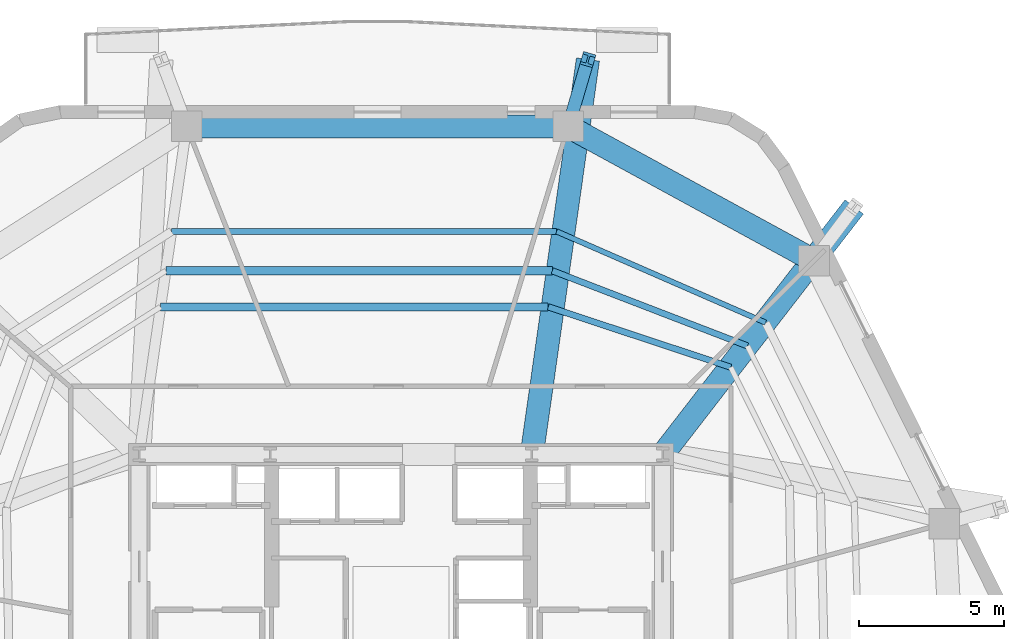
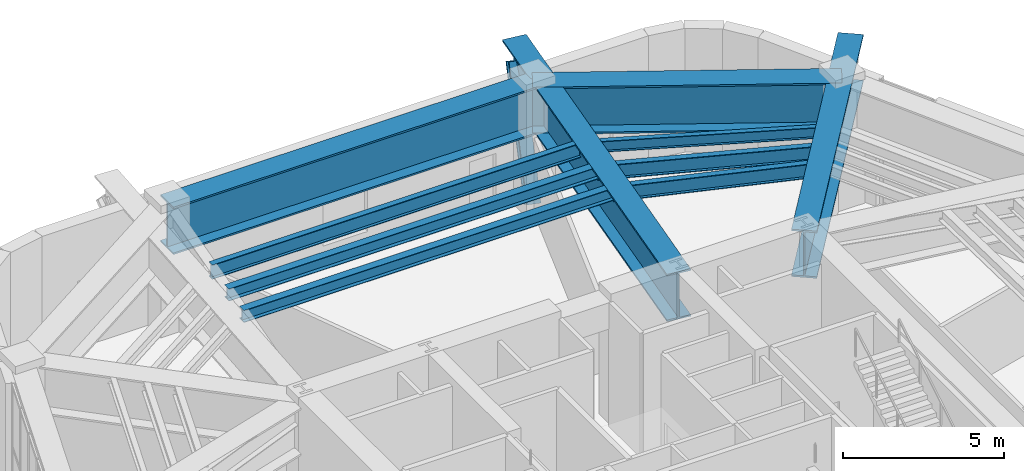
# One storey, part 10 of 18: 10 beams, 1 member.
"""IFC4 building model written with IfcOpenShell, lengths in metres."""

import ifcopenshell
import ifcopenshell.guid

model = None  # the IFC model being written
_history = None  # IfcOwnerHistory: only IFC2X3 demands one
_inside = {}  # id of a spatial element -> (the spatial element, [elements in it])
_under = {}  # id of a project, library or spatial element -> (it, [spatial elements below it])
_declared = {}  # id of a project -> (the project, [libraries it declares])
_typed = {}  # id of a type object -> (the type object, [elements of that type])
_made_of = {}  # id of a material, layer set ... -> (it, [elements and type objects made of it])


def new_model(schema):
    """Start an empty IFC model of exactly this schema.

    Asked for "IFC4X3", IfcOpenShell would pick the latest addendum, in which some entities
    have other attributes; the version numbers below select the first issue.
    IFC2X3 requires an IfcOwnerHistory on every rooted entity: one is made here for all.
    """
    global model, _history
    if schema == "IFC4X3":
        model = ifcopenshell.file(schema_version=(4, 3, 0, 0))
    else:
        model = ifcopenshell.file(schema=schema)
    _inside.clear()
    _under.clear()
    _declared.clear()
    _typed.clear()
    _made_of.clear()
    _history = None
    if model.schema == "IFC2X3":
        org = make("IfcOrganization", Name="unknown")
        user = make(
            "IfcPersonAndOrganization",
            ThePerson=make("IfcPerson", FamilyName="unknown"),
            TheOrganization=org,
        )
        app = make(
            "IfcApplication",
            ApplicationDeveloper=org,
            Version="unknown",
            ApplicationFullName="unknown",
            ApplicationIdentifier="unknown",
        )
        _history = make(
            "IfcOwnerHistory",
            OwningUser=user,
            OwningApplication=app,
            ChangeAction="ADDED",
            CreationDate=0,
        )
    return model


def make(cls, **values):
    """One entity of the class cls with the attributes given. An attribute that is None is left unset."""
    return model.create_entity(
        cls, **{name: value for name, value in values.items() if value is not None}
    )


def rooted(cls, **values):
    """An entity with a GlobalId (a new one), such as an element, a storey or a relation."""
    return make(cls, GlobalId=ifcopenshell.guid.new(), OwnerHistory=_history, **values)


def si_unit(unit_type, name, prefix=None):
    """IfcSIUnit, for example si_unit("LENGTHUNIT", "METRE", prefix="MILLI")."""
    return make("IfcSIUnit", UnitType=unit_type, Prefix=prefix, Name=name)


def assignment(units):
    """IfcUnitAssignment: the units of a project."""
    return None if units is None else make("IfcUnitAssignment", Units=units)


def point(xyz):
    """IfcCartesianPoint."""
    return None if xyz is None else make("IfcCartesianPoint", Coordinates=xyz)


def direction(xyz):
    """IfcDirection."""
    return None if xyz is None else make("IfcDirection", DirectionRatios=xyz)


def frame(location, z_axis=None, x_axis=None):
    """IfcAxis2Placement3D, a coordinate frame: its origin and axes. An axis left out is left unset."""
    return make(
        "IfcAxis2Placement3D",
        Location=point(location),
        Axis=direction(z_axis),
        RefDirection=direction(x_axis),
    )


def frame_2d(location, x_axis=None):
    """IfcAxis2Placement2D, a coordinate frame in the plane: its origin and x axis."""
    return make(
        "IfcAxis2Placement2D", Location=point(location), RefDirection=direction(x_axis)
    )


def origin():
    """The frame at (0, 0, 0) with its axes left unset."""
    return frame((0.0, 0.0, 0.0))


def origin_2d():
    """The frame at (0, 0) in the plane with its x axis left unset."""
    return frame_2d((0.0, 0.0))


def place(relative_to, where):
    """IfcLocalPlacement: puts the frame where relative to a parent placement (None: the world)."""
    return make(
        "IfcLocalPlacement", PlacementRelTo=relative_to, RelativePlacement=where
    )


def context(
    kind, dimensions, precision=None, world=None, true_north=None, identifier=None
):
    """IfcGeometricRepresentationContext, for example the 3D "Model" context."""
    return make(
        "IfcGeometricRepresentationContext",
        ContextIdentifier=identifier,
        ContextType=kind,
        CoordinateSpaceDimension=dimensions,
        Precision=precision,
        WorldCoordinateSystem=world,
        TrueNorth=true_north,
    )


def subcontext(parent, identifier, kind, view, scale=None):
    """IfcGeometricRepresentationSubContext, for example "Body" below "Model"."""
    return make(
        "IfcGeometricRepresentationSubContext",
        ContextIdentifier=identifier,
        ContextType=kind,
        ParentContext=parent,
        TargetScale=scale,
        TargetView=view,
    )


def project(units=None, contexts=None):
    """IfcProject with its units and contexts."""
    return rooted(
        "IfcProject",
        Name="project",
        RepresentationContexts=contexts,
        UnitsInContext=assignment(units),
    )


def spatial(cls, under=None, at=None, **own):
    """A site, building, storey or space (cls), placed at a placement, below another one or the project."""
    s = rooted(cls, ObjectPlacement=at, **own)
    if under is not None:
        _under.setdefault(under.id(), (under, []))[1].append(s)
    return s


def profile(cls, at=None, kind="AREA", **sizes):
    """A parametric profile (cls). Its sizes go by their IFC names, for example OverallWidth=200.0."""
    return make(cls, ProfileType=kind, Position=at, **sizes)


def i_section(**sizes):
    """IfcIShapeProfileDef."""
    return profile("IfcIShapeProfileDef", **sizes)


def extrude(swept, where, along, depth):
    """IfcExtrudedAreaSolid: the profile swept, set in the frame where, extruded along a direction by depth."""
    return make(
        "IfcExtrudedAreaSolid",
        SweptArea=swept,
        Position=where,
        ExtrudedDirection=direction(along),
        Depth=depth,
    )


def shape(context_of_items, identifier, shape_type, items):
    """IfcShapeRepresentation: the items that make up one representation, for example the "Body"."""
    return make(
        "IfcShapeRepresentation",
        ContextOfItems=context_of_items,
        RepresentationIdentifier=identifier,
        RepresentationType=shape_type,
        Items=items,
    )


def material(Name=None, Category=None):
    """IfcMaterial."""
    return make("IfcMaterial", Name=Name, Category=Category)


def material_profile(
    of_material, cross_section, Name=None, Category=None, Priority=None
):
    """IfcMaterialProfile: a cross section and its material."""
    return make(
        "IfcMaterialProfile",
        Name=Name,
        Material=of_material,
        Profile=cross_section,
        Priority=Priority,
        Category=Category,
    )


def profile_set(profiles, Name=None, composite=None):
    """IfcMaterialProfileSet."""
    return make(
        "IfcMaterialProfileSet",
        Name=Name,
        MaterialProfiles=profiles,
        CompositeProfile=composite,
    )


def made_of(thing, what):
    """Note that an element or type object is made of a material, layer set ...; save() writes the relation."""
    if what is not None:
        _made_of.setdefault(what.id(), (what, []))[1].append(thing)
    return thing


def type_object(cls, material=None, **own):
    """A type object (cls), such as IfcWallType, which elements share."""
    return made_of(rooted(cls, **own), material)


def element(
    cls,
    number,
    at=None,
    inside=None,
    cuts=None,
    type_object=None,
    material=None,
    context=None,
    identifier="Body",
    shape_type=None,
    held_by="IfcProductDefinitionShape",
    body=None,
    shapes=None,
    **own,
):
    """One element of the class cls, such as IfcWall. Its Tag is "e" and its number.

    at: its placement. inside: the storey or other place that contains it. cuts: it is an
    opening in that element (IfcRelVoidsElement). A single representation is given by context,
    identifier, shape_type and body (its items); several are given by shapes. held_by: the class
    of the entity that holds the representations. save() writes the other relations.
    """
    e = rooted(cls, Tag="e%d" % number, ObjectPlacement=at, **own)
    if body is not None:
        shapes = [shape(context, identifier, shape_type, body)]
    if shapes is not None:
        e.Representation = make(held_by, Representations=shapes)
    if inside is not None:
        _inside.setdefault(inside.id(), (inside, []))[1].append(e)
    if cuts is not None:
        rooted(
            "IfcRelVoidsElement", RelatingBuildingElement=cuts, RelatedOpeningElement=e
        )
    if type_object is not None:
        _typed.setdefault(type_object.id(), (type_object, []))[1].append(e)
    return made_of(e, material)


def aggregate(whole, parts):
    """IfcRelAggregates: a whole, such as a stair, and the parts it consists of."""
    return rooted("IfcRelAggregates", RelatingObject=whole, RelatedObjects=parts)


def save(model, path):
    """Write the relations noted so far, then the file.

    IfcRelAggregates (storeys below a building ...), IfcRelContainedInSpatialStructure (elements
    in a storey), IfcRelDefinesByType, IfcRelAssociatesMaterial and IfcRelDeclares: one each for
    every whole, place, type object, material and project.
    """
    for whole, parts in _under.values():
        aggregate(whole, parts)
    for where, things in _inside.values():
        rooted(
            "IfcRelContainedInSpatialStructure",
            RelatedElements=things,
            RelatingStructure=where,
        )
    for kind, things in _typed.values():
        rooted("IfcRelDefinesByType", RelatedObjects=things, RelatingType=kind)
    for what, things in _made_of.values():
        rooted("IfcRelAssociatesMaterial", RelatedObjects=things, RelatingMaterial=what)
    for by, libraries in _declared.values():
        rooted("IfcRelDeclares", RelatingContext=by, RelatedDefinitions=libraries)
    model.write(path)


model = new_model("IFC4")

# Units and contexts
model_context = context("Model", 3, precision=1e-05, world=origin(), true_north=direction((0.0, 1.0)))
body_context = subcontext(model_context, "Body", "Model", "MODEL_VIEW")
ifc_project = project(units=[si_unit("LENGTHUNIT", "METRE"), si_unit("AREAUNIT", "SQUARE_METRE"), si_unit("VOLUMEUNIT", "CUBIC_METRE"), si_unit("PLANEANGLEUNIT", "RADIAN"), si_unit("MASSUNIT", "GRAM", prefix="KILO")], contexts=[model_context])

# Site, building, storey
site_placement = place(None, origin())
site = spatial("IfcSite", under=ifc_project, at=site_placement, CompositionType="ELEMENT")
building_placement = place(site_placement, origin())
building = spatial("IfcBuilding", under=site, at=building_placement, Name="Kilnhurst Terrace Hotel", CompositionType="ELEMENT")
storey_placement = place(building_placement, frame((0.0, 0.0, 201.5)))
storey = spatial("IfcBuildingStorey", under=building, at=storey_placement, Name="L50", CompositionType="ELEMENT", Elevation=201.5)

# Beams
ifc_material_1 = material(Name="Steel ASTM A992 Grade 50", Category="steel")
ifc_material_profile_1 = material_profile(ifc_material_1, i_section(OverallWidth=0.180908203125, OverallDepth=0.417236328125, WebThickness=0.010986328125, FlangeThickness=0.018310546875, at=origin_2d()), Name="W16X57")
ifc_profile_set_1 = profile_set([ifc_material_profile_1], Name="Steel ASTM A992 Grade 50")
beam_type_1 = type_object("IfcBeamType", Name="JST-STL-W16X57", PredefinedType="JOIST", material=ifc_profile_set_1)
beam_1_placement = place(storey_placement, frame((12.538818359375, 12.032958984375, 4.490966796875), z_axis=(-0.916443679054, 0.400163695407, 0.0), x_axis=(-0.400163695407, -0.916443679054, 0.0)))
element("IfcBeam", 1, at=beam_1_placement, inside=storey, type_object=beam_type_1, Name="L50 Secondary Floor Steel Joist OUT.6", PredefinedType="JOIST", context=body_context, shape_type="SweptSolid", body=[
    extrude(i_section(OverallWidth=0.180908203125, OverallDepth=0.417236328125, WebThickness=0.010986328125, FlangeThickness=0.018310546875, at=origin_2d()), origin(), (0.0, 0.0, 1.0), 7.84033203125),
])
ifc_material_profile_2 = material_profile(ifc_material_1, i_section(OverallWidth=0.279296875, OverallDepth=0.462890625, WebThickness=0.0107421875, FlangeThickness=0.017333984375, at=origin_2d()), Name="W18X76")
ifc_profile_set_2 = profile_set([ifc_material_profile_2], Name="Steel ASTM A992 Grade 50")
beam_type_2 = type_object("IfcBeamType", Name="JST-STL-W18X76", PredefinedType="JOIST", material=ifc_profile_set_2)
beam_2_placement = place(storey_placement, frame((5.064697265625, 12.575927734375, 4.468017578125), z_axis=(-1.0, 0.0, 0.0), x_axis=(0.0, -1.0, 0.0)))
element("IfcBeam", 2, at=beam_2_placement, inside=storey, type_object=beam_type_2, Name="L50 Secondary Floor Steel Joist IN.7", PredefinedType="JOIST", context=body_context, shape_type="SweptSolid", body=[
    extrude(i_section(OverallWidth=0.279296875, OverallDepth=0.462890625, WebThickness=0.0107421875, FlangeThickness=0.017333984375, at=origin_2d()), origin(), (0.0, 0.0, 1.0), 13.330810546875),
])
beam_3_placement = place(storey_placement, frame((5.202880859375, 13.81689453125, 4.468017578125), z_axis=(-1.0, 0.0, 0.0), x_axis=(0.0, -1.0, 0.0)))
element("IfcBeam", 3, at=beam_3_placement, inside=storey, type_object=beam_type_2, Name="L50 Secondary Floor Steel Joist MID.7", PredefinedType="JOIST", context=body_context, shape_type="SweptSolid", body=[
    extrude(i_section(OverallWidth=0.279296875, OverallDepth=0.462890625, WebThickness=0.0107421875, FlangeThickness=0.017333984375, at=origin_2d()), origin(), (0.0, 0.0, 1.0), 13.28955078125),
])
ifc_material_profile_3 = material_profile(ifc_material_1, i_section(OverallWidth=0.2138671875, OverallDepth=0.549072265625, WebThickness=0.0146484375, FlangeThickness=0.023681640625, at=origin_2d()), Name="W21X93")
ifc_profile_set_3 = profile_set([ifc_material_profile_3], Name="Steel ASTM A992 Grade 50")
beam_type_3 = type_object("IfcBeamType", Name="JST-STL-W21X93", PredefinedType="JOIST", material=ifc_profile_set_3)
beam_4_placement = place(storey_placement, frame((5.353515625, 15.17041015625, 4.425048828125), z_axis=(-1.0, 0.0, 0.0), x_axis=(0.0, -1.0, 0.0)))
element("IfcBeam", 4, at=beam_4_placement, inside=storey, type_object=beam_type_3, Name="L50 Secondary Floor Steel Joist OUT.7", PredefinedType="JOIST", context=body_context, shape_type="SweptSolid", body=[
    extrude(i_section(OverallWidth=0.2138671875, OverallDepth=0.549072265625, WebThickness=0.0146484375, FlangeThickness=0.023681640625, at=origin_2d()), origin(), (0.0, 0.0, 1.0), 13.244384765625),
])
beam_5_placement = place(storey_placement, frame((11.341796875, 10.499755859375, 4.425048828125), z_axis=(-0.949415572736, 0.314022404051, 0.0), x_axis=(-0.314022404051, -0.949415572736, 0.0)))
element("IfcBeam", 5, at=beam_5_placement, inside=storey, type_object=beam_type_3, Name="L50 Secondary Floor Steel Joist IN.6", PredefinedType="JOIST", context=body_context, shape_type="SweptSolid", body=[
    extrude(i_section(OverallWidth=0.2138671875, OverallDepth=0.549072265625, WebThickness=0.0146484375, FlangeThickness=0.023681640625, at=origin_2d()), origin(), (0.0, 0.0, 1.0), 6.611572265625),
])
beam_6_placement = place(storey_placement, frame((11.914306640625, 11.23291015625, 4.425048828125), z_axis=(-0.93322130885, 0.35930208559, 0.0), x_axis=(-0.35930208559, -0.93322130885, 0.0)))
element("IfcBeam", 6, at=beam_6_placement, inside=storey, type_object=beam_type_3, Name="L50 Secondary Floor Steel Joist MID.6", PredefinedType="JOIST", context=body_context, shape_type="SweptSolid", body=[
    extrude(i_section(OverallWidth=0.2138671875, OverallDepth=0.549072265625, WebThickness=0.0146484375, FlangeThickness=0.023681640625, at=origin_2d()), origin(), (0.0, 0.0, 1.0), 7.191650390625),
])

# Member
ifc_material_profile_4 = material_profile(ifc_material_1, i_section(OverallWidth=0.44189453125, OverallDepth=0.531494140625, WebThickness=0.06591796875, FlangeThickness=0.105712890625, at=origin_2d()), Name="W14X605")
ifc_profile_set_4 = profile_set([ifc_material_profile_4], Name="Steel ASTM A992 Grade 50")
member_type = type_object("IfcMemberType", Name="MEM-OTR-DIAG-605", PredefinedType="BRACE", material=ifc_profile_set_4)
member_placement = place(storey_placement, frame((5.7548828125, 18.780029296875, 0.0), z_axis=(0.150247401564, 0.511927945799, 0.845786909708), x_axis=(-0.959527524406, 0.281614860947, 0.0)))
element("IfcMember", 7, at=member_placement, inside=storey, type_object=member_type, Name="L50 Waist Flare Inclined Column Strut 7", PredefinedType="BRACE", context=body_context, shape_type="SweptSolid", body=[
    extrude(i_section(OverallWidth=0.44189453125, OverallDepth=0.531494140625, WebThickness=0.06591796875, FlangeThickness=0.105712890625, at=origin_2d()), origin(), (0.0, 0.0, 1.0), 4.492919921875),
])

# Beams
ifc_material_2 = material(Name="Steel ASTM A572 Grade 50", Category="steel")
ifc_material_profile_5 = material_profile(ifc_material_2, i_section(OverallWidth=0.800048828125, OverallDepth=1.800048828125, WebThickness=0.0400390625, FlangeThickness=0.06494140625, at=origin_2d()), Name="PG1800X800")
ifc_profile_set_5 = profile_set([ifc_material_profile_5], Name="Steel ASTM A572 Grade 50")
beam_type_4 = type_object("IfcBeamType", Name="TG-STEP-1800", PredefinedType="USERDEFINED", material=ifc_profile_set_5)
beam_7_placement = place(storey_placement, frame((14.2041015625, 14.166015625, 3.800048828125), z_axis=(-0.87766189723, 0.479280287672, 0.0), x_axis=(-0.479280287672, -0.87766189723, 0.0)))
element("IfcBeam", 8, at=beam_7_placement, inside=storey, type_object=beam_type_4, Name="L50 Zone Step Perimeter Transfer Girder 6", ObjectType="GIRDER", PredefinedType="USERDEFINED", context=body_context, shape_type="SweptSolid", body=[
    extrude(i_section(OverallWidth=0.800048828125, OverallDepth=1.800048828125, WebThickness=0.0400390625, FlangeThickness=0.06494140625, at=origin_2d()), origin(), (0.0, 0.0, 1.0), 9.626953125),
])
beam_8_placement = place(storey_placement, frame((5.7548828125, 18.780029296875, 3.800048828125), z_axis=(-1.0, 0.0, 0.0), x_axis=(0.0, -1.0, 0.0)))
element("IfcBeam", 9, at=beam_8_placement, inside=storey, type_object=beam_type_4, Name="L50 Zone Step Perimeter Transfer Girder 7", ObjectType="GIRDER", PredefinedType="USERDEFINED", context=body_context, shape_type="SweptSolid", body=[
    extrude(i_section(OverallWidth=0.800048828125, OverallDepth=1.800048828125, WebThickness=0.0400390625, FlangeThickness=0.06494140625, at=origin_2d()), origin(), (0.0, 0.0, 1.0), 13.123779296875),
])
beam_9_placement = place(storey_placement, frame((9.0, 7.5, 3.800048828125), z_axis=(0.611955412533, 0.790892263884, 0.0), x_axis=(-0.790892263884, 0.611955412533, 0.0)))
element("IfcBeam", 10, at=beam_9_placement, inside=storey, type_object=beam_type_4, Name="L50 Zone Flare Radial Transfer Girder 6", ObjectType="GIRDER", PredefinedType="USERDEFINED", context=body_context, shape_type="SweptSolid", body=[
    extrude(i_section(OverallWidth=0.800048828125, OverallDepth=1.800048828125, WebThickness=0.0400390625, FlangeThickness=0.06494140625, at=origin_2d()), origin(), (0.0, 0.0, 1.0), 10.763671875),
])
beam_10_placement = place(storey_placement, frame((4.5, 7.5, 3.800048828125), z_axis=(0.140701170889, 0.990052109997, 0.0), x_axis=(-0.990052109997, 0.140701170889, 0.0)))
element("IfcBeam", 11, at=beam_10_placement, inside=storey, type_object=beam_type_4, Name="L50 Zone Flare Radial Transfer Girder 7", ObjectType="GIRDER", PredefinedType="USERDEFINED", context=body_context, shape_type="SweptSolid", body=[
    extrude(i_section(OverallWidth=0.800048828125, OverallDepth=1.800048828125, WebThickness=0.0400390625, FlangeThickness=0.06494140625, at=origin_2d()), origin(), (0.0, 0.0, 1.0), 13.716552734375),
])

save(model, "model.ifc")
